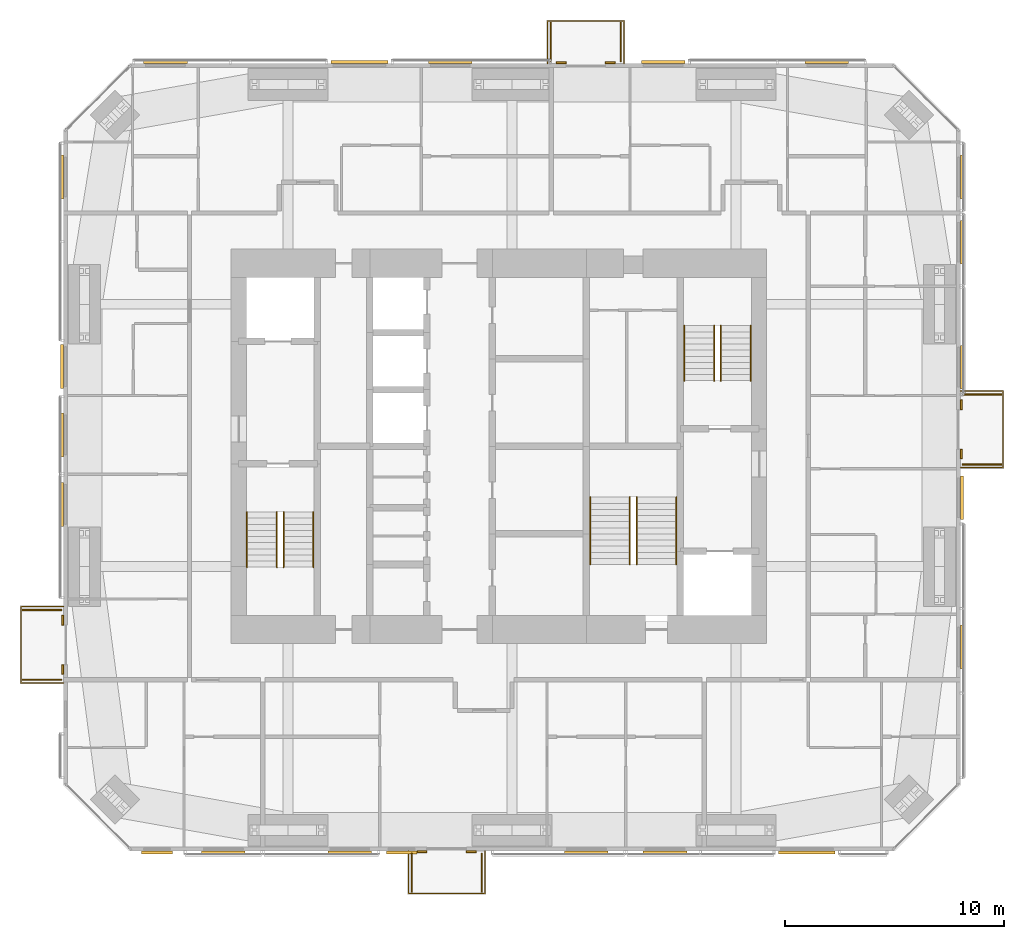
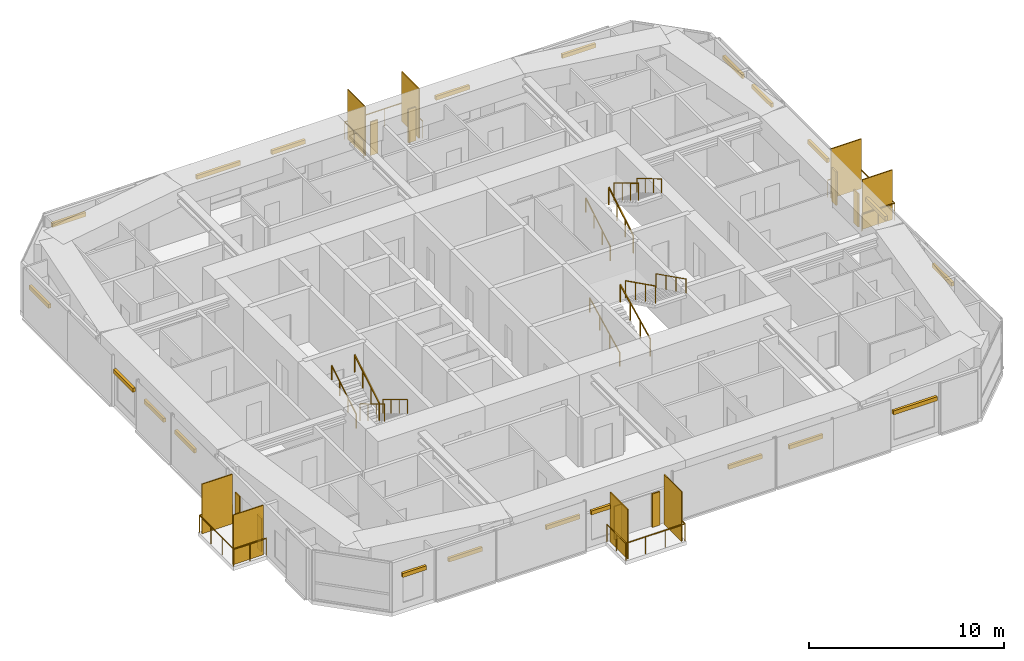
# One storey, part 23 of 23: 37 shading devices, 16 railings.
"""IFC4 building model written with IfcOpenShell, lengths in metres."""

from ifc_helpers import new_model, si_unit, direction, frame, origin, origin_2d, place, context, subcontext, project, spatial, rectangle, circle, extrude, material, layer, layer_set, constituent, constituent_set, type_object, element, save


model = new_model("IFC4")

# Units and contexts
model_context = context("Model", 3, precision=1e-05, world=origin(), true_north=direction((0.0, 1.0)))
body_context = subcontext(model_context, "Body", "Model", "MODEL_VIEW")
ifc_project = project(units=[si_unit("LENGTHUNIT", "METRE"), si_unit("AREAUNIT", "SQUARE_METRE"), si_unit("VOLUMEUNIT", "CUBIC_METRE"), si_unit("PLANEANGLEUNIT", "RADIAN"), si_unit("MASSUNIT", "GRAM", prefix="KILO")], contexts=[model_context])

# Site, building, storey
site_placement = place(None, origin())
site = spatial("IfcSite", under=ifc_project, at=site_placement, CompositionType="ELEMENT")
building_placement = place(site_placement, origin())
building = spatial("IfcBuilding", under=site, at=building_placement, Name="Jalousie Tower", CompositionType="ELEMENT")
storey_placement = place(building_placement, frame((0.0, 0.0, 194.550048828125)))
storey = spatial("IfcBuildingStorey", under=building, at=storey_placement, Name="L53", CompositionType="ELEMENT", Elevation=194.550048828125)

# Shading devices
ifc_material_1 = material(Name="Aluminium impact-rated louvred storm shutter", Category="aluminium")
shading_device_type_1 = type_object("IfcShadingDeviceType", Name="BI-FOLD STORM SHUTTER 900x2100", PredefinedType="SHUTTER", material=ifc_material_1)
for number, where, z_axis, x_axis, name in (
    (1, (28.387451171875, -0.0400390625, 0.0), (0.0, 0.0, 1.0), (1.0, 0.0, 0.0), "Balcony storm shutter L53"),
    (2, (30.637451171875, -0.0400390625, 0.0), (0.0, 0.0, 1.0), (1.0, 0.0, 0.0), "Balcony storm shutter L53"),
    (3, (53.0400390625, 18.14990234375, 0.0), (0.0, 0.0, 1.0), (0.0, 1.0, 0.0), "Balcony storm shutter L53"),
    (4, (53.0400390625, 20.39990234375, 0.0), (0.0, 0.0, 1.0), (0.0, 1.0, 0.0), "Balcony storm shutter L53"),
    (5, (37.0, 36.0400390625, 0.0), (0.0, 0.0, 1.0), (-1.0, 0.0, 0.0), "Balcony storm shutter L53"),
    (6, (34.75, 36.0400390625, 0.0), (0.0, 0.0, 1.0), (-1.0, 0.0, 0.0), "Balcony storm shutter L53"),
    (7, (11.9599609375, 10.550048828125, 0.0), (0.0, 0.0, 1.0), (0.0, -1.0, 0.0), "Balcony storm shutter L53"),
    (8, (11.9599609375, 8.300048828125, 0.0), (0.0, 0.0, 1.0), (0.0, -1.0, 0.0), "Balcony storm shutter L53"),
):
    element("IfcShadingDevice", number, at=place(storey_placement, frame(where, z_axis=z_axis, x_axis=x_axis)), inside=storey, type_object=shading_device_type_1, Name=name, PredefinedType="SHUTTER", context=body_context, shape_type="SweptSolid", body=[
        extrude(rectangle(XDim=0.449951171875, YDim=0.080078125, at=origin_2d()), origin(), (0.0, 0.0, 1.0), 2.10009765625),
    ])

# Railings
ifc_material_2 = material(Name="Powder-coated aluminium fretwork", Category="aluminium")
railing_type_1 = type_object("IfcRailingType", Name="FRETWORK BALUSTRADE 1100", PredefinedType="BALUSTRADE", material=ifc_material_2)
railing_1_placement = place(storey_placement, frame((27.762451171875, 0.0, 0.0)))
element("IfcRailing", 9, at=railing_1_placement, inside=storey, type_object=railing_type_1, Name="Balcony fretwork balustrade L53", PredefinedType="BALUSTRADE", context=body_context, shape_type="SweptSolid", body=[
    extrude(rectangle(XDim=0.048095703125, YDim=0.048095703125, at=origin_2d()), frame((0.0, 0.0, 1.076171875), z_axis=(0.0, -1.0, 0.0), x_axis=(1.0, 0.0, 0.0)), (0.0, 0.0, 1.0), 1.949951171875),
    extrude(rectangle(XDim=0.048095703125, YDim=0.048095703125, at=origin_2d()), frame((0.0, -1.949951171875, 1.076171875), z_axis=(1.0, 0.0, 0.0), x_axis=(0.0, 1.0, 0.0)), (0.0, 0.0, 1.0), 3.5),
    extrude(rectangle(XDim=0.048095703125, YDim=0.048095703125, at=origin_2d()), frame((3.5, -1.949951171875, 1.076171875), z_axis=(0.0, 1.0, 0.0), x_axis=(-1.0, 0.0, 0.0)), (0.0, 0.0, 1.0), 1.949951171875),
    extrude(circle(Radius=0.02099609375, at=origin_2d()), origin(), (0.0, 0.0, 1.0), 1.052001953125),
    extrude(circle(Radius=0.02099609375, at=origin_2d()), frame((0.0, -0.97509765625, 0.0)), (0.0, 0.0, 1.0), 1.052001953125),
    extrude(circle(Radius=0.02099609375, at=origin_2d()), frame((0.0, -1.949951171875, 0.0)), (0.0, 0.0, 1.0), 1.052001953125),
    extrude(circle(Radius=0.02099609375, at=origin_2d()), frame((1.166748046875, -1.949951171875, 0.0)), (0.0, 0.0, 1.0), 1.052001953125),
    extrude(circle(Radius=0.02099609375, at=origin_2d()), frame((2.333251953125, -1.949951171875, 0.0)), (0.0, 0.0, 1.0), 1.052001953125),
    extrude(circle(Radius=0.02099609375, at=origin_2d()), frame((3.5, -1.949951171875, 0.0)), (0.0, 0.0, 1.0), 1.052001953125),
    extrude(circle(Radius=0.02099609375, at=origin_2d()), frame((3.5, -0.97509765625, 0.0)), (0.0, 0.0, 1.0), 1.052001953125),
    extrude(circle(Radius=0.02099609375, at=origin_2d()), frame((3.5, 0.0, 0.0)), (0.0, 0.0, 1.0), 1.052001953125),
])
railing_2_placement = place(storey_placement, frame((53.0, 17.52490234375, 0.0)))
element("IfcRailing", 10, at=railing_2_placement, inside=storey, type_object=railing_type_1, Name="Balcony fretwork balustrade L53", PredefinedType="BALUSTRADE", context=body_context, shape_type="SweptSolid", body=[
    extrude(rectangle(XDim=0.048095703125, YDim=0.048095703125, at=origin_2d()), frame((0.0, 0.0, 1.076171875), z_axis=(1.0, 0.0, 0.0), x_axis=(0.0, 1.0, 0.0)), (0.0, 0.0, 1.0), 1.949951171875),
    extrude(rectangle(XDim=0.048095703125, YDim=0.048095703125, at=origin_2d()), frame((1.949951171875, 0.0, 1.076171875), z_axis=(0.0, 1.0, 0.0), x_axis=(-1.0, 0.0, 0.0)), (0.0, 0.0, 1.0), 3.5),
    extrude(rectangle(XDim=0.048095703125, YDim=0.048095703125, at=origin_2d()), frame((1.949951171875, 3.5, 1.076171875), z_axis=(-1.0, 0.0, 0.0), x_axis=(0.0, -1.0, 0.0)), (0.0, 0.0, 1.0), 1.949951171875),
    extrude(circle(Radius=0.02099609375, at=origin_2d()), origin(), (0.0, 0.0, 1.0), 1.052001953125),
    extrude(circle(Radius=0.02099609375, at=origin_2d()), frame((0.97509765625, 0.0, 0.0)), (0.0, 0.0, 1.0), 1.052001953125),
    extrude(circle(Radius=0.02099609375, at=origin_2d()), frame((1.949951171875, 0.0, 0.0)), (0.0, 0.0, 1.0), 1.052001953125),
    extrude(circle(Radius=0.02099609375, at=origin_2d()), frame((1.949951171875, 1.166748046875, 0.0)), (0.0, 0.0, 1.0), 1.052001953125),
    extrude(circle(Radius=0.02099609375, at=origin_2d()), frame((1.949951171875, 2.333251953125, 0.0)), (0.0, 0.0, 1.0), 1.052001953125),
    extrude(circle(Radius=0.02099609375, at=origin_2d()), frame((1.949951171875, 3.5, 0.0)), (0.0, 0.0, 1.0), 1.052001953125),
    extrude(circle(Radius=0.02099609375, at=origin_2d()), frame((0.97509765625, 3.5, 0.0)), (0.0, 0.0, 1.0), 1.052001953125),
    extrude(circle(Radius=0.02099609375, at=origin_2d()), frame((0.0, 3.5, 0.0)), (0.0, 0.0, 1.0), 1.052001953125),
])
railing_3_placement = place(storey_placement, frame((37.625, 36.0, 0.0)))
element("IfcRailing", 11, at=railing_3_placement, inside=storey, type_object=railing_type_1, Name="Balcony fretwork balustrade L53", PredefinedType="BALUSTRADE", context=body_context, shape_type="SweptSolid", body=[
    extrude(rectangle(XDim=0.048095703125, YDim=0.048095703125, at=origin_2d()), frame((0.0, 0.0, 1.076171875), z_axis=(0.0, 1.0, 0.0), x_axis=(-1.0, 0.0, 0.0)), (0.0, 0.0, 1.0), 1.949951171875),
    extrude(rectangle(XDim=0.048095703125, YDim=0.048095703125, at=origin_2d()), frame((0.0, 1.949951171875, 1.076171875), z_axis=(-1.0, 0.0, 0.0), x_axis=(0.0, -1.0, 0.0)), (0.0, 0.0, 1.0), 3.5),
    extrude(rectangle(XDim=0.048095703125, YDim=0.048095703125, at=origin_2d()), frame((-3.5, 1.949951171875, 1.076171875), z_axis=(0.0, -1.0, 0.0), x_axis=(1.0, 0.0, 0.0)), (0.0, 0.0, 1.0), 1.949951171875),
    extrude(circle(Radius=0.02099609375, at=origin_2d()), origin(), (0.0, 0.0, 1.0), 1.052001953125),
    extrude(circle(Radius=0.02099609375, at=origin_2d()), frame((0.0, 0.97509765625, 0.0)), (0.0, 0.0, 1.0), 1.052001953125),
    extrude(circle(Radius=0.02099609375, at=origin_2d()), frame((0.0, 1.949951171875, 0.0)), (0.0, 0.0, 1.0), 1.052001953125),
    extrude(circle(Radius=0.02099609375, at=origin_2d()), frame((-1.166748046875, 1.949951171875, 0.0)), (0.0, 0.0, 1.0), 1.052001953125),
    extrude(circle(Radius=0.02099609375, at=origin_2d()), frame((-2.333251953125, 1.949951171875, 0.0)), (0.0, 0.0, 1.0), 1.052001953125),
    extrude(circle(Radius=0.02099609375, at=origin_2d()), frame((-3.5, 1.949951171875, 0.0)), (0.0, 0.0, 1.0), 1.052001953125),
    extrude(circle(Radius=0.02099609375, at=origin_2d()), frame((-3.5, 0.97509765625, 0.0)), (0.0, 0.0, 1.0), 1.052001953125),
    extrude(circle(Radius=0.02099609375, at=origin_2d()), frame((-3.5, 0.0, 0.0)), (0.0, 0.0, 1.0), 1.052001953125),
])
railing_4_placement = place(storey_placement, frame((12.0, 11.175048828125, 0.0)))
element("IfcRailing", 12, at=railing_4_placement, inside=storey, type_object=railing_type_1, Name="Balcony fretwork balustrade L53", PredefinedType="BALUSTRADE", context=body_context, shape_type="SweptSolid", body=[
    extrude(rectangle(XDim=0.048095703125, YDim=0.048095703125, at=origin_2d()), frame((0.0, 0.0, 1.076171875), z_axis=(-1.0, 0.0, 0.0), x_axis=(0.0, -1.0, 0.0)), (0.0, 0.0, 1.0), 1.949951171875),
    extrude(rectangle(XDim=0.048095703125, YDim=0.048095703125, at=origin_2d()), frame((-1.949951171875, 0.0, 1.076171875), z_axis=(0.0, -1.0, 0.0), x_axis=(1.0, 0.0, 0.0)), (0.0, 0.0, 1.0), 3.5),
    extrude(rectangle(XDim=0.048095703125, YDim=0.048095703125, at=origin_2d()), frame((-1.949951171875, -3.5, 1.076171875), z_axis=(1.0, 0.0, 0.0), x_axis=(0.0, 1.0, 0.0)), (0.0, 0.0, 1.0), 1.949951171875),
    extrude(circle(Radius=0.02099609375, at=origin_2d()), origin(), (0.0, 0.0, 1.0), 1.052001953125),
    extrude(circle(Radius=0.02099609375, at=origin_2d()), frame((-0.97509765625, 0.0, 0.0)), (0.0, 0.0, 1.0), 1.052001953125),
    extrude(circle(Radius=0.02099609375, at=origin_2d()), frame((-1.949951171875, 0.0, 0.0)), (0.0, 0.0, 1.0), 1.052001953125),
    extrude(circle(Radius=0.02099609375, at=origin_2d()), frame((-1.949951171875, -1.166748046875, 0.0)), (0.0, 0.0, 1.0), 1.052001953125),
    extrude(circle(Radius=0.02099609375, at=origin_2d()), frame((-1.949951171875, -2.333251953125, 0.0)), (0.0, 0.0, 1.0), 1.052001953125),
    extrude(circle(Radius=0.02099609375, at=origin_2d()), frame((-1.949951171875, -3.5, 0.0)), (0.0, 0.0, 1.0), 1.052001953125),
    extrude(circle(Radius=0.02099609375, at=origin_2d()), frame((-0.97509765625, -3.5, 0.0)), (0.0, 0.0, 1.0), 1.052001953125),
    extrude(circle(Radius=0.02099609375, at=origin_2d()), frame((0.0, -3.5, 0.0)), (0.0, 0.0, 1.0), 1.052001953125),
])

# Shading devices
ifc_material_3 = material(Name="Powder-coated aluminium louvres", Category="aluminium")
ifc_layer = layer(ifc_material_3, 0.06005859375)
ifc_layer_set = layer_set([ifc_layer], Name="Powder-coated aluminium louvres")
shading_device_type_2 = type_object("IfcShadingDeviceType", Name="JALOUSIE LOUVRE SCREEN", PredefinedType="JALOUSIE", material=ifc_layer_set)
for number, where, z_axis, x_axis, name in (
    (13, (27.91259765625, -1.0, 0.0), (0.0, 0.0, 1.0), (1.0, 0.0, 0.0), "Jalousie louvre screen L53"),
    (14, (31.112548828125, -1.0, 0.0), (0.0, 0.0, 1.0), (1.0, 0.0, 0.0), "Jalousie louvre screen L53"),
    (15, (54.0, 17.675048828125, 0.0), (0.0, 0.0, 1.0), (0.0, 1.0, 0.0), "Jalousie louvre screen L53"),
    (16, (54.0, 20.875, 0.0), (0.0, 0.0, 1.0), (0.0, 1.0, 0.0), "Jalousie louvre screen L53"),
    (17, (37.47509765625, 37.0, 0.0), (0.0, 0.0, 1.0), (-1.0, 0.0, 0.0), "Jalousie louvre screen L53"),
    (18, (34.27490234375, 37.0, 0.0), (0.0, 0.0, 1.0), (-1.0, 0.0, 0.0), "Jalousie louvre screen L53"),
    (19, (11.0, 11.02490234375, 0.0), (0.0, 0.0, 1.0), (0.0, -1.0, 0.0), "Jalousie louvre screen L53"),
    (20, (11.0, 7.824951171875, 0.0), (0.0, 0.0, 1.0), (0.0, -1.0, 0.0), "Jalousie louvre screen L53"),
):
    element("IfcShadingDevice", number, at=place(storey_placement, frame(where, z_axis=z_axis, x_axis=x_axis)), inside=storey, type_object=shading_device_type_2, Name=name, PredefinedType="JALOUSIE", context=body_context, shape_type="SweptSolid", body=[
        extrude(rectangle(XDim=0.06005859375, YDim=1.800048828125, at=origin_2d()), origin(), (0.0, 0.0, 1.0), 3.110107421875),
    ])

# Railings
ifc_material_4 = material(Name="Steel ASTM A500 Grade C", Category="steel")
ifc_constituent_1 = constituent(ifc_material_4, Name="Body")
ifc_material_5 = material(Name="Hot-dip galvanised zinc coating")
ifc_constituent_2 = constituent(ifc_material_5, Name="Finish")
ifc_constituent_set_1 = constituent_set(constituents=[ifc_constituent_1, ifc_constituent_2])
railing_type_2 = type_object("IfcRailingType", Name="STAIR GUARD 1100", PredefinedType="GUARDRAIL", material=ifc_constituent_set_1)
railing_5_placement = place(storey_placement, frame((22.054931640625, 15.49755859375, 0.16748046875)))
element("IfcRailing", 21, at=railing_5_placement, inside=storey, type_object=railing_type_2, Name="Exit stair A guard L53 flight 1", PredefinedType="GUARDRAIL", context=body_context, shape_type="SweptSolid", body=[
    extrude(rectangle(XDim=0.048095703125, YDim=0.048095703125, at=origin_2d()), frame((0.0, 0.0, 1.076171875), z_axis=(0.0, -0.858159760407, 0.513382728203), x_axis=(1.0, 0.0, 0.0)), (0.0, 0.0, 1.0), 2.9365234375),
    extrude(circle(Radius=0.02099609375, at=origin_2d()), origin(), (0.0, 0.0, 1.0), 1.052001953125),
    extrude(circle(Radius=0.02099609375, at=origin_2d()), frame((0.0, -0.840087890625, 0.50244140625)), (0.0, 0.0, 1.0), 1.052001953125),
    extrude(circle(Radius=0.02099609375, at=origin_2d()), frame((0.0, -1.679931640625, 1.005126953125)), (0.0, 0.0, 1.0), 1.052001953125),
    extrude(circle(Radius=0.02099609375, at=origin_2d()), frame((0.0, -2.52001953125, 1.507568359375)), (0.0, 0.0, 1.0), 1.052001953125),
])
railing_6_placement = place(storey_placement, frame((21.7451171875, 12.9775390625, 1.842529296875)))
element("IfcRailing", 22, at=railing_6_placement, inside=storey, type_object=railing_type_2, Name="Exit stair A guard L53 flight 2", PredefinedType="GUARDRAIL", context=body_context, shape_type="SweptSolid", body=[
    extrude(rectangle(XDim=0.048095703125, YDim=0.048095703125, at=origin_2d()), frame((0.0, 0.0, 1.076171875), z_axis=(0.0, 0.858196387827, 0.513321497621), x_axis=(-1.0, 0.0, 0.0)), (0.0, 0.0, 1.0), 2.9365234375),
    extrude(circle(Radius=0.02099609375, at=origin_2d()), origin(), (0.0, 0.0, 1.0), 1.052001953125),
    extrude(circle(Radius=0.02099609375, at=origin_2d()), frame((0.0, 0.840087890625, 0.50244140625)), (0.0, 0.0, 1.0), 1.052001953125),
    extrude(circle(Radius=0.02099609375, at=origin_2d()), frame((0.0, 1.679931640625, 1.0048828125)), (0.0, 0.0, 1.0), 1.052001953125),
    extrude(circle(Radius=0.02099609375, at=origin_2d()), frame((0.0, 2.52001953125, 1.50732421875)), (0.0, 0.0, 1.0), 1.052001953125),
])
railing_7_placement = place(storey_placement, frame((41.7451171875, 21.50244140625, 0.16748046875)))
element("IfcRailing", 23, at=railing_7_placement, inside=storey, type_object=railing_type_2, Name="Exit stair B guard L53 flight 1", PredefinedType="GUARDRAIL", context=body_context, shape_type="SweptSolid", body=[
    extrude(rectangle(XDim=0.048095703125, YDim=0.048095703125, at=origin_2d()), frame((0.0, 0.0, 1.076171875), z_axis=(0.0, 0.858159760407, 0.513382728203), x_axis=(-1.0, 0.0, 0.0)), (0.0, 0.0, 1.0), 2.9365234375),
    extrude(circle(Radius=0.02099609375, at=origin_2d()), origin(), (0.0, 0.0, 1.0), 1.052001953125),
    extrude(circle(Radius=0.02099609375, at=origin_2d()), frame((0.0, 0.840087890625, 0.50244140625)), (0.0, 0.0, 1.0), 1.052001953125),
    extrude(circle(Radius=0.02099609375, at=origin_2d()), frame((0.0, 1.679931640625, 1.005126953125)), (0.0, 0.0, 1.0), 1.052001953125),
    extrude(circle(Radius=0.02099609375, at=origin_2d()), frame((0.0, 2.52001953125, 1.507568359375)), (0.0, 0.0, 1.0), 1.052001953125),
])
railing_8_placement = place(storey_placement, frame((42.054931640625, 24.0224609375, 1.842529296875)))
element("IfcRailing", 24, at=railing_8_placement, inside=storey, type_object=railing_type_2, Name="Exit stair B guard L53 flight 2", PredefinedType="GUARDRAIL", context=body_context, shape_type="SweptSolid", body=[
    extrude(rectangle(XDim=0.048095703125, YDim=0.048095703125, at=origin_2d()), frame((0.0, 0.0, 1.076171875), z_axis=(0.0, -0.858196387827, 0.513321497621), x_axis=(1.0, 0.0, 0.0)), (0.0, 0.0, 1.0), 2.9365234375),
    extrude(circle(Radius=0.02099609375, at=origin_2d()), origin(), (0.0, 0.0, 1.0), 1.052001953125),
    extrude(circle(Radius=0.02099609375, at=origin_2d()), frame((0.0, -0.840087890625, 0.50244140625)), (0.0, 0.0, 1.0), 1.052001953125),
    extrude(circle(Radius=0.02099609375, at=origin_2d()), frame((0.0, -1.679931640625, 1.0048828125)), (0.0, 0.0, 1.0), 1.052001953125),
    extrude(circle(Radius=0.02099609375, at=origin_2d()), frame((0.0, -2.52001953125, 1.50732421875)), (0.0, 0.0, 1.0), 1.052001953125),
])
railing_9_placement = place(storey_placement, frame((37.89501953125, 13.097412109375, 0.1396484375)))
element("IfcRailing", 25, at=railing_9_placement, inside=storey, type_object=railing_type_2, Name="Exit stair C guard L53 flight 1", PredefinedType="GUARDRAIL", context=body_context, shape_type="SweptSolid", body=[
    extrude(rectangle(XDim=0.048095703125, YDim=0.048095703125, at=origin_2d()), frame((0.0, 0.0, 1.076171875), z_axis=(0.0, 0.894965676997, 0.446134998624), x_axis=(-1.0, 0.0, 0.0)), (0.0, 0.0, 1.0), 3.441650390625),
    extrude(circle(Radius=0.02099609375, at=origin_2d()), origin(), (0.0, 0.0, 1.0), 1.052001953125),
    extrude(circle(Radius=0.02099609375, at=origin_2d()), frame((0.0, 1.026611328125, 0.51171875)), (0.0, 0.0, 1.0), 1.052001953125),
    extrude(circle(Radius=0.02099609375, at=origin_2d()), frame((0.0, 2.053466796875, 1.023681640625)), (0.0, 0.0, 1.0), 1.052001953125),
    extrude(circle(Radius=0.02099609375, at=origin_2d()), frame((0.0, 3.080078125, 1.535400390625)), (0.0, 0.0, 1.0), 1.052001953125),
])
railing_10_placement = place(storey_placement, frame((38.205078125, 16.177490234375, 1.814453125)))
element("IfcRailing", 26, at=railing_10_placement, inside=storey, type_object=railing_type_2, Name="Exit stair C guard L53 flight 2", PredefinedType="GUARDRAIL", context=body_context, shape_type="SweptSolid", body=[
    extrude(rectangle(XDim=0.048095703125, YDim=0.048095703125, at=origin_2d()), frame((0.0, 0.0, 1.076171875), z_axis=(0.0, -0.894965676997, 0.446134998624), x_axis=(1.0, 0.0, 0.0)), (0.0, 0.0, 1.0), 3.441650390625),
    extrude(circle(Radius=0.02099609375, at=origin_2d()), origin(), (0.0, 0.0, 1.0), 1.052001953125),
    extrude(circle(Radius=0.02099609375, at=origin_2d()), frame((0.0, -1.026611328125, 0.51171875)), (0.0, 0.0, 1.0), 1.052001953125),
    extrude(circle(Radius=0.02099609375, at=origin_2d()), frame((0.0, -2.053466796875, 1.023681640625)), (0.0, 0.0, 1.0), 1.052001953125),
    extrude(circle(Radius=0.02099609375, at=origin_2d()), frame((0.0, -3.080078125, 1.535400390625)), (0.0, 0.0, 1.0), 1.052001953125),
])
ifc_material_6 = material(Name="Steel ASTM A500 Grade C", Category="steel")
ifc_constituent_3 = constituent(ifc_material_6, Name="Body")
ifc_material_7 = material(Name="Hot-dip galvanised zinc coating")
ifc_constituent_4 = constituent(ifc_material_7, Name="Finish")
ifc_constituent_set_2 = constituent_set(constituents=[ifc_constituent_3, ifc_constituent_4])
railing_type_3 = type_object("IfcRailingType", Name="STAIR HANDRAIL 900", PredefinedType="HANDRAIL", material=ifc_constituent_set_2)
railing_11_placement = place(storey_placement, frame((23.419921875, 15.49755859375, 0.16748046875)))
element("IfcRailing", 27, at=railing_11_placement, inside=storey, type_object=railing_type_3, Name="Exit stair A handrail L53 flight 1", PredefinedType="HANDRAIL", context=body_context, shape_type="SweptSolid", body=[
    extrude(circle(Radius=0.02392578125, at=origin_2d()), frame((0.0, 0.0, 0.8759765625), z_axis=(0.0, -0.858159760407, 0.513382728203), x_axis=(1.0, 0.0, 0.0)), (0.0, 0.0, 1.0), 2.9365234375),
    extrude(circle(Radius=0.02099609375, at=origin_2d()), origin(), (0.0, 0.0, 1.0), 0.851806640625),
    extrude(circle(Radius=0.02099609375, at=origin_2d()), frame((0.0, -0.840087890625, 0.50244140625)), (0.0, 0.0, 1.0), 0.851806640625),
    extrude(circle(Radius=0.02099609375, at=origin_2d()), frame((0.0, -1.679931640625, 1.005126953125)), (0.0, 0.0, 1.0), 0.851806640625),
    extrude(circle(Radius=0.02099609375, at=origin_2d()), frame((0.0, -2.52001953125, 1.507568359375)), (0.0, 0.0, 1.0), 0.851806640625),
])
railing_12_placement = place(storey_placement, frame((20.3798828125, 12.9775390625, 1.842529296875)))
element("IfcRailing", 28, at=railing_12_placement, inside=storey, type_object=railing_type_3, Name="Exit stair A handrail L53 flight 2", PredefinedType="HANDRAIL", context=body_context, shape_type="SweptSolid", body=[
    extrude(circle(Radius=0.02392578125, at=origin_2d()), frame((0.0, 0.0, 0.8759765625), z_axis=(0.0, 0.858196387827, 0.513321497621), x_axis=(-1.0, 0.0, 0.0)), (0.0, 0.0, 1.0), 2.9365234375),
    extrude(circle(Radius=0.02099609375, at=origin_2d()), origin(), (0.0, 0.0, 1.0), 0.851806640625),
    extrude(circle(Radius=0.02099609375, at=origin_2d()), frame((0.0, 0.840087890625, 0.50244140625)), (0.0, 0.0, 1.0), 0.851806640625),
    extrude(circle(Radius=0.02099609375, at=origin_2d()), frame((0.0, 1.679931640625, 1.0048828125)), (0.0, 0.0, 1.0), 0.851806640625),
    extrude(circle(Radius=0.02099609375, at=origin_2d()), frame((0.0, 2.52001953125, 1.50732421875)), (0.0, 0.0, 1.0), 0.851806640625),
])
railing_13_placement = place(storey_placement, frame((40.3798828125, 21.50244140625, 0.16748046875)))
element("IfcRailing", 29, at=railing_13_placement, inside=storey, type_object=railing_type_3, Name="Exit stair B handrail L53 flight 1", PredefinedType="HANDRAIL", context=body_context, shape_type="SweptSolid", body=[
    extrude(circle(Radius=0.02392578125, at=origin_2d()), frame((0.0, 0.0, 0.8759765625), z_axis=(0.0, 0.858159760407, 0.513382728203), x_axis=(-1.0, 0.0, 0.0)), (0.0, 0.0, 1.0), 2.9365234375),
    extrude(circle(Radius=0.02099609375, at=origin_2d()), origin(), (0.0, 0.0, 1.0), 0.851806640625),
    extrude(circle(Radius=0.02099609375, at=origin_2d()), frame((0.0, 0.840087890625, 0.50244140625)), (0.0, 0.0, 1.0), 0.851806640625),
    extrude(circle(Radius=0.02099609375, at=origin_2d()), frame((0.0, 1.679931640625, 1.005126953125)), (0.0, 0.0, 1.0), 0.851806640625),
    extrude(circle(Radius=0.02099609375, at=origin_2d()), frame((0.0, 2.52001953125, 1.507568359375)), (0.0, 0.0, 1.0), 0.851806640625),
])
railing_14_placement = place(storey_placement, frame((43.419921875, 24.0224609375, 1.842529296875)))
element("IfcRailing", 30, at=railing_14_placement, inside=storey, type_object=railing_type_3, Name="Exit stair B handrail L53 flight 2", PredefinedType="HANDRAIL", context=body_context, shape_type="SweptSolid", body=[
    extrude(circle(Radius=0.02392578125, at=origin_2d()), frame((0.0, 0.0, 0.8759765625), z_axis=(0.0, -0.858196387827, 0.513321497621), x_axis=(1.0, 0.0, 0.0)), (0.0, 0.0, 1.0), 2.9365234375),
    extrude(circle(Radius=0.02099609375, at=origin_2d()), origin(), (0.0, 0.0, 1.0), 0.851806640625),
    extrude(circle(Radius=0.02099609375, at=origin_2d()), frame((0.0, -0.840087890625, 0.50244140625)), (0.0, 0.0, 1.0), 0.851806640625),
    extrude(circle(Radius=0.02099609375, at=origin_2d()), frame((0.0, -1.679931640625, 1.0048828125)), (0.0, 0.0, 1.0), 0.851806640625),
    extrude(circle(Radius=0.02099609375, at=origin_2d()), frame((0.0, -2.52001953125, 1.50732421875)), (0.0, 0.0, 1.0), 0.851806640625),
])
railing_15_placement = place(storey_placement, frame((36.080078125, 13.097412109375, 0.1396484375)))
element("IfcRailing", 31, at=railing_15_placement, inside=storey, type_object=railing_type_3, Name="Exit stair C handrail L53 flight 1", PredefinedType="HANDRAIL", context=body_context, shape_type="SweptSolid", body=[
    extrude(circle(Radius=0.02392578125, at=origin_2d()), frame((0.0, 0.0, 0.8759765625), z_axis=(0.0, 0.894965676997, 0.446134998624), x_axis=(-1.0, 0.0, 0.0)), (0.0, 0.0, 1.0), 3.441650390625),
    extrude(circle(Radius=0.02099609375, at=origin_2d()), origin(), (0.0, 0.0, 1.0), 0.851806640625),
    extrude(circle(Radius=0.02099609375, at=origin_2d()), frame((0.0, 1.026611328125, 0.51171875)), (0.0, 0.0, 1.0), 0.851806640625),
    extrude(circle(Radius=0.02099609375, at=origin_2d()), frame((0.0, 2.053466796875, 1.023681640625)), (0.0, 0.0, 1.0), 0.851806640625),
    extrude(circle(Radius=0.02099609375, at=origin_2d()), frame((0.0, 3.080078125, 1.535400390625)), (0.0, 0.0, 1.0), 0.851806640625),
])
railing_16_placement = place(storey_placement, frame((40.02001953125, 16.177490234375, 1.814453125)))
element("IfcRailing", 32, at=railing_16_placement, inside=storey, type_object=railing_type_3, Name="Exit stair C handrail L53 flight 2", PredefinedType="HANDRAIL", context=body_context, shape_type="SweptSolid", body=[
    extrude(circle(Radius=0.02392578125, at=origin_2d()), frame((0.0, 0.0, 0.8759765625), z_axis=(0.0, -0.894965676997, 0.446134998624), x_axis=(1.0, 0.0, 0.0)), (0.0, 0.0, 1.0), 3.441650390625),
    extrude(circle(Radius=0.02099609375, at=origin_2d()), origin(), (0.0, 0.0, 1.0), 0.851806640625),
    extrude(circle(Radius=0.02099609375, at=origin_2d()), frame((0.0, -1.026611328125, 0.51171875)), (0.0, 0.0, 1.0), 0.851806640625),
    extrude(circle(Radius=0.02099609375, at=origin_2d()), frame((0.0, -2.053466796875, 1.023681640625)), (0.0, 0.0, 1.0), 0.851806640625),
    extrude(circle(Radius=0.02099609375, at=origin_2d()), frame((0.0, -3.080078125, 1.535400390625)), (0.0, 0.0, 1.0), 0.851806640625),
])

# Shading devices
ifc_material_8 = material(Name="Aluminium roller storm shutter", Category="aluminium")
shading_device_type_3 = type_object("IfcShadingDeviceType", Name="STORM SHUTTER HOUSING", PredefinedType="SHUTTER", material=ifc_material_8)
shading_device_1_placement = place(storey_placement, frame((16.263916015625, -0.074951171875, 2.099853515625), z_axis=(0.0, 0.0, 1.0), x_axis=(1.0, 0.0, 0.0)))
element("IfcShadingDevice", 33, at=shading_device_1_placement, inside=storey, type_object=shading_device_type_3, Name="Storm shutter L53", PredefinedType="SHUTTER", context=body_context, shape_type="SweptSolid", body=[
    extrude(rectangle(XDim=1.39990234375, YDim=0.14990234375, at=origin_2d()), origin(), (0.0, 0.0, 1.0), 0.25),
])
for number, where, z_axis, x_axis, name in (
    (34, (19.300048828125, -0.074951171875, 2.099853515625), (0.0, 0.0, 1.0), (1.0, 0.0, 0.0), "Storm shutter L53"),
    (35, (25.081298828125, -0.074951171875, 2.099853515625), (0.0, 0.0, 1.0), (1.0, 0.0, 0.0), "Storm shutter L53"),
):
    element("IfcShadingDevice", number, at=place(storey_placement, frame(where, z_axis=z_axis, x_axis=x_axis)), inside=storey, type_object=shading_device_type_3, Name=name, PredefinedType="SHUTTER", context=body_context, shape_type="SweptSolid", body=[
        extrude(rectangle(XDim=2.0, YDim=0.14990234375, at=origin_2d()), origin(), (0.0, 0.0, 1.0), 0.25),
    ])
shading_device_2_placement = place(storey_placement, frame((27.449951171875, -0.074951171875, 2.099853515625), z_axis=(0.0, 0.0, 1.0), x_axis=(1.0, 0.0, 0.0)))
element("IfcShadingDevice", 36, at=shading_device_2_placement, inside=storey, type_object=shading_device_type_3, Name="Storm shutter L53", PredefinedType="SHUTTER", context=body_context, shape_type="SweptSolid", body=[
    extrude(rectangle(XDim=1.39990234375, YDim=0.14990234375, at=origin_2d()), origin(), (0.0, 0.0, 1.0), 0.25),
])
for number, where, z_axis, x_axis, name in (
    (37, (35.89990234375, -0.074951171875, 2.099853515625), (0.0, 0.0, 1.0), (1.0, 0.0, 0.0), "Storm shutter L53"),
    (38, (39.5, -0.074951171875, 2.099853515625), (0.0, 0.0, 1.0), (1.0, 0.0, 0.0), "Storm shutter L53"),
):
    element("IfcShadingDevice", number, at=place(storey_placement, frame(where, z_axis=z_axis, x_axis=x_axis)), inside=storey, type_object=shading_device_type_3, Name=name, PredefinedType="SHUTTER", context=body_context, shape_type="SweptSolid", body=[
        extrude(rectangle(XDim=2.0, YDim=0.14990234375, at=origin_2d()), origin(), (0.0, 0.0, 1.0), 0.25),
    ])
shading_device_3_placement = place(storey_placement, frame((45.981201171875, -0.074951171875, 2.099853515625), z_axis=(0.0, 0.0, 1.0), x_axis=(1.0, 0.0, 0.0)))
element("IfcShadingDevice", 39, at=shading_device_3_placement, inside=storey, type_object=shading_device_type_3, Name="Storm shutter L53", PredefinedType="SHUTTER", context=body_context, shape_type="SweptSolid", body=[
    extrude(rectangle(XDim=2.60009765625, YDim=0.14990234375, at=origin_2d()), origin(), (0.0, 0.0, 1.0), 0.25),
])
for number, where, z_axis, x_axis, name in (
    (40, (53.074951171875, 9.324951171875, 2.099853515625), (0.0, 0.0, 1.0), (0.0, 1.0, 0.0), "Storm shutter L53"),
    (41, (53.074951171875, 16.14990234375, 2.099853515625), (0.0, 0.0, 1.0), (0.0, 1.0, 0.0), "Storm shutter L53"),
    (42, (53.074951171875, 22.125, 2.099853515625), (0.0, 0.0, 1.0), (0.0, 1.0, 0.0), "Storm shutter L53"),
    (43, (53.074951171875, 27.83740234375, 2.099853515625), (0.0, 0.0, 1.0), (0.0, 1.0, 0.0), "Storm shutter L53"),
    (44, (53.074951171875, 30.822509765625, 2.099853515625), (0.0, 0.0, 1.0), (0.0, 1.0, 0.0), "Storm shutter L53"),
    (45, (46.89990234375, 36.074951171875, 2.099853515625), (0.0, 0.0, 1.0), (-1.0, 0.0, 0.0), "Storm shutter L53"),
    (46, (39.41259765625, 36.074951171875, 2.099853515625), (0.0, 0.0, 1.0), (-1.0, 0.0, 0.0), "Storm shutter L53"),
    (47, (29.675048828125, 36.074951171875, 2.099853515625), (0.0, 0.0, 1.0), (-1.0, 0.0, 0.0), "Storm shutter L53"),
):
    element("IfcShadingDevice", number, at=place(storey_placement, frame(where, z_axis=z_axis, x_axis=x_axis)), inside=storey, type_object=shading_device_type_3, Name=name, PredefinedType="SHUTTER", context=body_context, shape_type="SweptSolid", body=[
        extrude(rectangle(XDim=2.0, YDim=0.14990234375, at=origin_2d()), origin(), (0.0, 0.0, 1.0), 0.25),
    ])
shading_device_4_placement = place(storey_placement, frame((25.52490234375, 36.074951171875, 2.099853515625), z_axis=(0.0, 0.0, 1.0), x_axis=(-1.0, 0.0, 0.0)))
element("IfcShadingDevice", 48, at=shading_device_4_placement, inside=storey, type_object=shading_device_type_3, Name="Storm shutter L53", PredefinedType="SHUTTER", context=body_context, shape_type="SweptSolid", body=[
    extrude(rectangle(XDim=2.60009765625, YDim=0.14990234375, at=origin_2d()), origin(), (0.0, 0.0, 1.0), 0.25),
])
for number, where, z_axis, x_axis, name in (
    (49, (16.64990234375, 36.074951171875, 2.099853515625), (0.0, 0.0, 1.0), (-1.0, 0.0, 0.0), "Storm shutter L53"),
    (50, (11.925048828125, 30.822509765625, 2.099853515625), (0.0, 0.0, 1.0), (0.0, -1.0, 0.0), "Storm shutter L53"),
    (51, (11.925048828125, 22.150146484375, 2.099853515625), (0.0, 0.0, 1.0), (0.0, -1.0, 0.0), "Storm shutter L53"),
    (52, (11.925048828125, 19.02490234375, 2.099853515625), (0.0, 0.0, 1.0), (0.0, -1.0, 0.0), "Storm shutter L53"),
    (53, (11.925048828125, 15.847412109375, 2.099853515625), (0.0, 0.0, 1.0), (0.0, -1.0, 0.0), "Storm shutter L53"),
):
    element("IfcShadingDevice", number, at=place(storey_placement, frame(where, z_axis=z_axis, x_axis=x_axis)), inside=storey, type_object=shading_device_type_3, Name=name, PredefinedType="SHUTTER", context=body_context, shape_type="SweptSolid", body=[
        extrude(rectangle(XDim=2.0, YDim=0.14990234375, at=origin_2d()), origin(), (0.0, 0.0, 1.0), 0.25),
    ])

save(model, "model.ifc")
